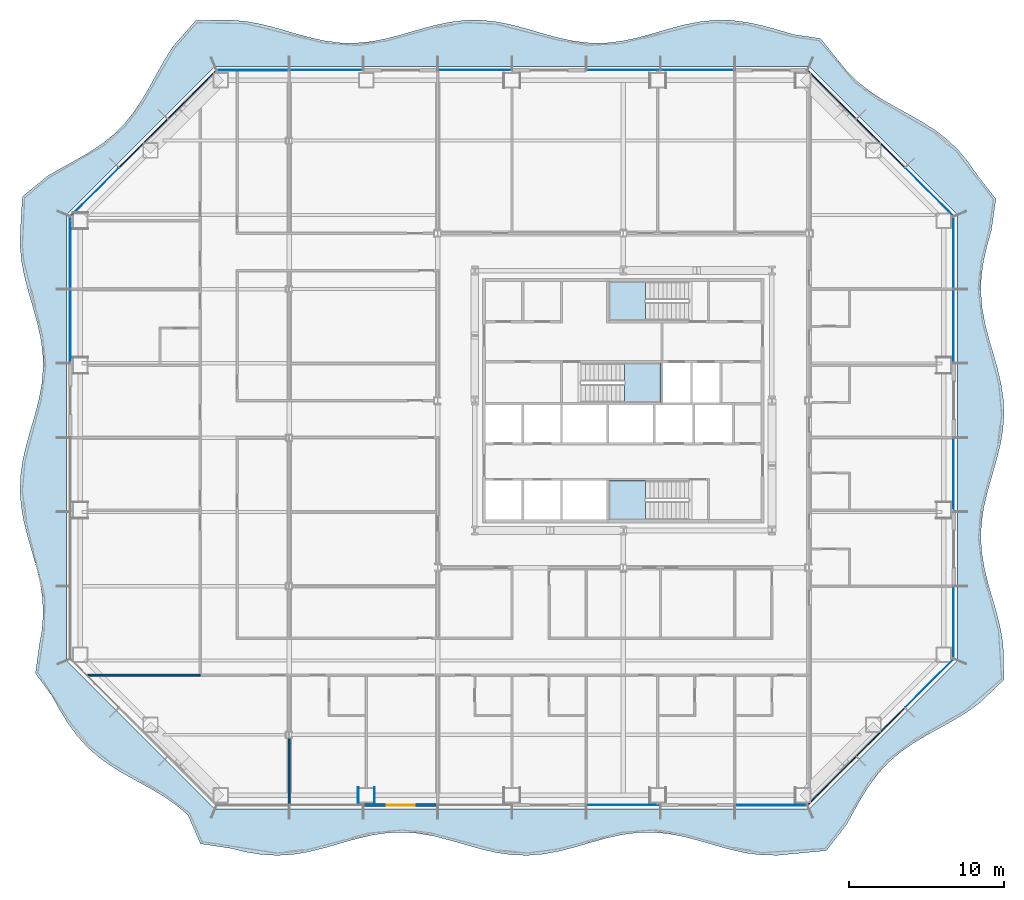
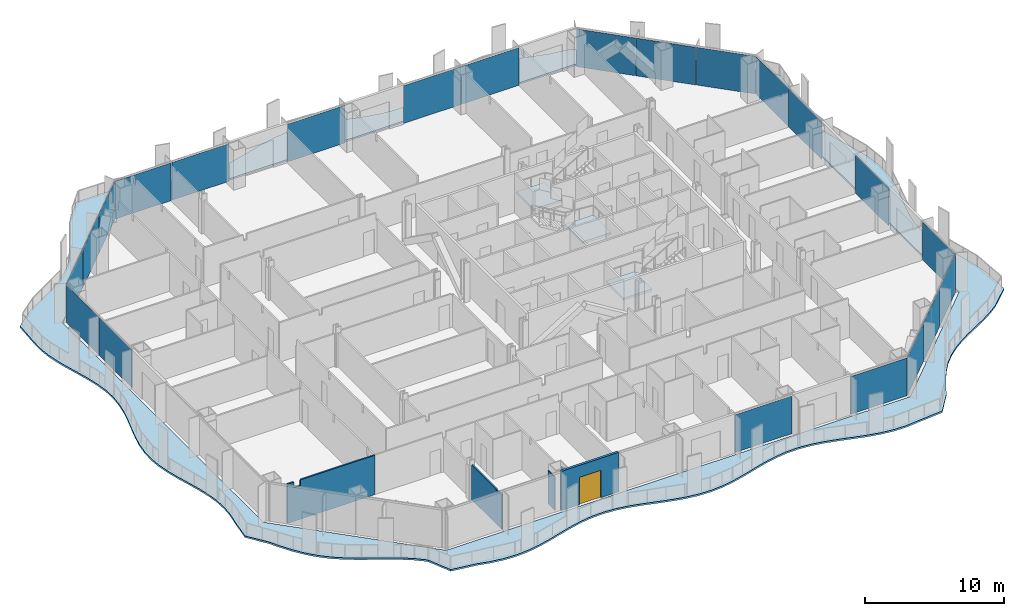
# One storey, part 5 of 21: 22 plates, 5 walls, 4 slabs, 1 door, 1 opening, 10 elements without a shape of their own.
"""IFC4 building model written with IfcOpenShell, lengths in metres."""

import ifcopenshell
import ifcopenshell.guid

model = None  # the IFC model being written
_history = None  # IfcOwnerHistory: only IFC2X3 demands one
_inside = {}  # id of a spatial element -> (the spatial element, [elements in it])
_under = {}  # id of a project, library or spatial element -> (it, [spatial elements below it])
_declared = {}  # id of a project -> (the project, [libraries it declares])
_typed = {}  # id of a type object -> (the type object, [elements of that type])
_made_of = {}  # id of a material, layer set ... -> (it, [elements and type objects made of it])


def new_model(schema):
    """Start an empty IFC model of exactly this schema.

    Asked for "IFC4X3", IfcOpenShell would pick the latest addendum, in which some entities
    have other attributes; the version numbers below select the first issue.
    IFC2X3 requires an IfcOwnerHistory on every rooted entity: one is made here for all.
    """
    global model, _history
    if schema == "IFC4X3":
        model = ifcopenshell.file(schema_version=(4, 3, 0, 0))
    else:
        model = ifcopenshell.file(schema=schema)
    _inside.clear()
    _under.clear()
    _declared.clear()
    _typed.clear()
    _made_of.clear()
    _history = None
    if model.schema == "IFC2X3":
        org = make("IfcOrganization", Name="unknown")
        user = make(
            "IfcPersonAndOrganization",
            ThePerson=make("IfcPerson", FamilyName="unknown"),
            TheOrganization=org,
        )
        app = make(
            "IfcApplication",
            ApplicationDeveloper=org,
            Version="unknown",
            ApplicationFullName="unknown",
            ApplicationIdentifier="unknown",
        )
        _history = make(
            "IfcOwnerHistory",
            OwningUser=user,
            OwningApplication=app,
            ChangeAction="ADDED",
            CreationDate=0,
        )
    return model


def make(cls, **values):
    """One entity of the class cls with the attributes given. An attribute that is None is left unset."""
    return model.create_entity(
        cls, **{name: value for name, value in values.items() if value is not None}
    )


def rooted(cls, **values):
    """An entity with a GlobalId (a new one), such as an element, a storey or a relation."""
    return make(cls, GlobalId=ifcopenshell.guid.new(), OwnerHistory=_history, **values)


def si_unit(unit_type, name, prefix=None):
    """IfcSIUnit, for example si_unit("LENGTHUNIT", "METRE", prefix="MILLI")."""
    return make("IfcSIUnit", UnitType=unit_type, Prefix=prefix, Name=name)


def assignment(units):
    """IfcUnitAssignment: the units of a project."""
    return None if units is None else make("IfcUnitAssignment", Units=units)


def point(xyz):
    """IfcCartesianPoint."""
    return None if xyz is None else make("IfcCartesianPoint", Coordinates=xyz)


def direction(xyz):
    """IfcDirection."""
    return None if xyz is None else make("IfcDirection", DirectionRatios=xyz)


def frame(location, z_axis=None, x_axis=None):
    """IfcAxis2Placement3D, a coordinate frame: its origin and axes. An axis left out is left unset."""
    return make(
        "IfcAxis2Placement3D",
        Location=point(location),
        Axis=direction(z_axis),
        RefDirection=direction(x_axis),
    )


def frame_2d(location, x_axis=None):
    """IfcAxis2Placement2D, a coordinate frame in the plane: its origin and x axis."""
    return make(
        "IfcAxis2Placement2D", Location=point(location), RefDirection=direction(x_axis)
    )


def origin():
    """The frame at (0, 0, 0) with its axes left unset."""
    return frame((0.0, 0.0, 0.0))


def origin_2d():
    """The frame at (0, 0) in the plane with its x axis left unset."""
    return frame_2d((0.0, 0.0))


def place(relative_to, where):
    """IfcLocalPlacement: puts the frame where relative to a parent placement (None: the world)."""
    return make(
        "IfcLocalPlacement", PlacementRelTo=relative_to, RelativePlacement=where
    )


def context(
    kind, dimensions, precision=None, world=None, true_north=None, identifier=None
):
    """IfcGeometricRepresentationContext, for example the 3D "Model" context."""
    return make(
        "IfcGeometricRepresentationContext",
        ContextIdentifier=identifier,
        ContextType=kind,
        CoordinateSpaceDimension=dimensions,
        Precision=precision,
        WorldCoordinateSystem=world,
        TrueNorth=true_north,
    )


def subcontext(parent, identifier, kind, view, scale=None):
    """IfcGeometricRepresentationSubContext, for example "Body" below "Model"."""
    return make(
        "IfcGeometricRepresentationSubContext",
        ContextIdentifier=identifier,
        ContextType=kind,
        ParentContext=parent,
        TargetScale=scale,
        TargetView=view,
    )


def project(units=None, contexts=None):
    """IfcProject with its units and contexts."""
    return rooted(
        "IfcProject",
        Name="project",
        RepresentationContexts=contexts,
        UnitsInContext=assignment(units),
    )


def spatial(cls, under=None, at=None, **own):
    """A site, building, storey or space (cls), placed at a placement, below another one or the project."""
    s = rooted(cls, ObjectPlacement=at, **own)
    if under is not None:
        _under.setdefault(under.id(), (under, []))[1].append(s)
    return s


def polyline(points):
    """IfcPolyline through the points."""
    return make("IfcPolyline", Points=[point(p) for p in points])


def profile(cls, at=None, kind="AREA", **sizes):
    """A parametric profile (cls). Its sizes go by their IFC names, for example OverallWidth=200.0."""
    return make(cls, ProfileType=kind, Position=at, **sizes)


def rectangle(**sizes):
    """IfcRectangleProfileDef."""
    return profile("IfcRectangleProfileDef", **sizes)


def outline(outer, holes=None, kind="AREA"):
    """IfcArbitraryClosedProfileDef: a profile drawn as a closed curve; with holes, ...WithVoids."""
    if holes is None:
        return make("IfcArbitraryClosedProfileDef", ProfileType=kind, OuterCurve=outer)
    return make(
        "IfcArbitraryProfileDefWithVoids",
        ProfileType=kind,
        OuterCurve=outer,
        InnerCurves=holes,
    )


def extrude(swept, where, along, depth):
    """IfcExtrudedAreaSolid: the profile swept, set in the frame where, extruded along a direction by depth."""
    return make(
        "IfcExtrudedAreaSolid",
        SweptArea=swept,
        Position=where,
        ExtrudedDirection=direction(along),
        Depth=depth,
    )


def shape(context_of_items, identifier, shape_type, items):
    """IfcShapeRepresentation: the items that make up one representation, for example the "Body"."""
    return make(
        "IfcShapeRepresentation",
        ContextOfItems=context_of_items,
        RepresentationIdentifier=identifier,
        RepresentationType=shape_type,
        Items=items,
    )


def material(Name=None, Category=None):
    """IfcMaterial."""
    return make("IfcMaterial", Name=Name, Category=Category)


def layer(
    of_material, thickness, ventilated=None, Name=None, Category=None, Priority=None
):
    """IfcMaterialLayer: one layer of a wall or slab, of a material (None: an air gap)."""
    return make(
        "IfcMaterialLayer",
        Material=of_material,
        LayerThickness=thickness,
        IsVentilated=ventilated,
        Name=Name,
        Category=Category,
        Priority=Priority,
    )


def layer_set(layers, Name=None):
    """IfcMaterialLayerSet."""
    return make("IfcMaterialLayerSet", MaterialLayers=layers, LayerSetName=Name)


def made_of(thing, what):
    """Note that an element or type object is made of a material, layer set ...; save() writes the relation."""
    if what is not None:
        _made_of.setdefault(what.id(), (what, []))[1].append(thing)
    return thing


def type_object(cls, material=None, **own):
    """A type object (cls), such as IfcWallType, which elements share."""
    return made_of(rooted(cls, **own), material)


def element(
    cls,
    number,
    at=None,
    inside=None,
    cuts=None,
    type_object=None,
    material=None,
    context=None,
    identifier="Body",
    shape_type=None,
    held_by="IfcProductDefinitionShape",
    body=None,
    shapes=None,
    **own,
):
    """One element of the class cls, such as IfcWall. Its Tag is "e" and its number.

    at: its placement. inside: the storey or other place that contains it. cuts: it is an
    opening in that element (IfcRelVoidsElement). A single representation is given by context,
    identifier, shape_type and body (its items); several are given by shapes. held_by: the class
    of the entity that holds the representations. save() writes the other relations.
    """
    e = rooted(cls, Tag="e%d" % number, ObjectPlacement=at, **own)
    if body is not None:
        shapes = [shape(context, identifier, shape_type, body)]
    if shapes is not None:
        e.Representation = make(held_by, Representations=shapes)
    if inside is not None:
        _inside.setdefault(inside.id(), (inside, []))[1].append(e)
    if cuts is not None:
        rooted(
            "IfcRelVoidsElement", RelatingBuildingElement=cuts, RelatedOpeningElement=e
        )
    if type_object is not None:
        _typed.setdefault(type_object.id(), (type_object, []))[1].append(e)
    return made_of(e, material)


def fill(opening, filler):
    """IfcRelFillsElement: the door or window that sits in an opening."""
    return rooted(
        "IfcRelFillsElement",
        RelatingOpeningElement=opening,
        RelatedBuildingElement=filler,
    )


def aggregate(whole, parts):
    """IfcRelAggregates: a whole, such as a stair, and the parts it consists of."""
    return rooted("IfcRelAggregates", RelatingObject=whole, RelatedObjects=parts)


def save(model, path):
    """Write the relations noted so far, then the file.

    IfcRelAggregates (storeys below a building ...), IfcRelContainedInSpatialStructure (elements
    in a storey), IfcRelDefinesByType, IfcRelAssociatesMaterial and IfcRelDeclares: one each for
    every whole, place, type object, material and project.
    """
    for whole, parts in _under.values():
        aggregate(whole, parts)
    for where, things in _inside.values():
        rooted(
            "IfcRelContainedInSpatialStructure",
            RelatedElements=things,
            RelatingStructure=where,
        )
    for kind, things in _typed.values():
        rooted("IfcRelDefinesByType", RelatedObjects=things, RelatingType=kind)
    for what, things in _made_of.values():
        rooted("IfcRelAssociatesMaterial", RelatedObjects=things, RelatingMaterial=what)
    for by, libraries in _declared.values():
        rooted("IfcRelDeclares", RelatingContext=by, RelatedDefinitions=libraries)
    model.write(path)


model = new_model("IFC4")

# Units and contexts
model_context = context("Model", 3, precision=1e-05, world=origin(), true_north=direction((0.0, 1.0)))
body_context = subcontext(model_context, "Body", "Model", "MODEL_VIEW")
ifc_project = project(units=[si_unit("LENGTHUNIT", "METRE"), si_unit("AREAUNIT", "SQUARE_METRE"), si_unit("VOLUMEUNIT", "CUBIC_METRE"), si_unit("PLANEANGLEUNIT", "RADIAN"), si_unit("MASSUNIT", "GRAM", prefix="KILO")], contexts=[model_context])

# Site, building, storey
site_placement = place(None, origin())
site = spatial("IfcSite", under=ifc_project, at=site_placement, CompositionType="ELEMENT")
building_placement = place(site_placement, origin())
building = spatial("IfcBuilding", under=site, at=building_placement, Name="Cairn Pilgrim Tower", CompositionType="ELEMENT")
storey_placement = place(building_placement, frame((0.0, 0.0, 43.800048828125)))
storey = spatial("IfcBuildingStorey", under=building, at=storey_placement, Name="L08", CompositionType="ELEMENT", Elevation=43.800048828125)

# Slab
ifc_material_1 = material(Name="Concrete C35/45", Category="concrete")
ifc_layer_1 = layer(ifc_material_1, 0.14990234375)
ifc_layer_set_1 = layer_set([ifc_layer_1], Name="BALCONY SLAB 150 CONCRETE C35/45")
slab_type_1 = type_object("IfcSlabType", Name="BALCONY SLAB 150 CONCRETE C35/45", PredefinedType="FLOOR", material=ifc_layer_set_1)
slab_1_placement = place(storey_placement, frame((0.0, 0.0, -0.150146484375)))
element("IfcSlab", 1, at=slab_1_placement, inside=storey, type_object=slab_type_1, Name="Balcony slab BS-1", PredefinedType="FLOOR", context=body_context, shape_type="SweptSolid", body=[
    extrude(outline(polyline([(-20.94921875, -24.377685546875), (-20.132080078125, -26.25), (-18.189453125, -26.539794921875), (-17.178955078125, -26.78466796875), (-16.16845703125, -26.946533203125), (-15.157958984375, -27.0), (-14.1474609375, -26.936767578125), (-13.136962890625, -26.76708984375), (-12.126220703125, -26.516845703125), (-11.11572265625, -26.22509765625), (-10.105224609375, -25.9375), (-9.0947265625, -25.6982421875), (-8.084228515625, -25.544677734375), (-7.07373046875, -25.5009765625), (-6.063232421875, -25.573486328125), (-5.052734375, -25.751220703125), (-4.0419921875, -26.006591796875), (-3.031494140625, -26.299560546875), (-2.02099609375, -26.5849609375), (-1.010498046875, -26.818359375), (0.0, -26.96337890625), (1.010498046875, -26.99755859375), (2.02099609375, -26.91552734375), (3.031494140625, -26.72998046875), (4.0419921875, -26.469970703125), (5.052734375, -26.17578125), (6.063232421875, -25.89306640625), (7.07373046875, -25.665771484375), (8.084228515625, -25.529541015625), (9.0947265625, -25.505126953125), (10.105224609375, -25.596435546875), (11.11572265625, -25.789306640625), (12.126220703125, -26.053955078125), (13.136962890625, -26.348876953125), (14.1474609375, -26.628662109375), (15.157958984375, -26.849365234375), (16.16845703125, -26.97705078125), (17.178955078125, -26.99169921875), (18.189453125, -26.89111328125), (20.314697265625, -26.69091796875), (21.606689453125, -25.03515625), (22.092041015625, -24.149169921875), (22.58740234375, -23.27294921875), (23.1201171875, -22.434326171875), (23.712158203125, -21.655029296875), (24.376953125, -20.9482421875), (25.117431640625, -20.3173828125), (25.92578125, -19.754150390625), (26.7841796875, -19.241455078125), (27.66845703125, -18.754150390625), (28.549560546875, -18.263916015625), (29.39990234375, -17.742919921875), (30.19580078125, -17.167236328125), (31.800048828125, -15.642578125), (31.746337890625, -13.406982421875), (31.588134765625, -12.413818359375), (31.34912109375, -11.420654296875), (31.06494140625, -10.427490234375), (30.77880859375, -9.4345703125), (30.533447265625, -8.44140625), (30.365478515625, -7.4482421875), (30.30029296875, -6.455078125), (30.347900390625, -5.462158203125), (30.500732421875, -4.468994140625), (30.736083984375, -3.475830078125), (31.018798828125, -2.482666015625), (31.305908203125, -1.48974609375), (31.5546875, -0.49658203125), (31.727783203125, 0.49658203125), (31.799072265625, 1.48974609375), (31.7578125, 2.482666015625), (31.610107421875, 3.475830078125), (31.37841796875, 4.468994140625), (31.097412109375, 5.462158203125), (30.809326171875, 6.455078125), (30.557373046875, 7.4482421875), (30.37939453125, 8.44140625), (30.302001953125, 9.4345703125), (30.337158203125, 10.427490234375), (30.479248046875, 11.420654296875), (30.70703125, 12.413818359375), (30.986328125, 13.406982421875), (31.275146484375, 15.42529296875), (30.041015625, 17.012451171875), (29.48388671875, 17.82666015625), (28.860107421875, 18.574462890625), (28.160888671875, 19.246826171875), (27.388427734375, 19.845458984375), (26.5546875, 20.38330078125), (25.68115234375, 20.881103515625), (24.794677734375, 21.3662109375), (23.92431640625, 21.866943359375), (23.095947265625, 22.41015625), (22.330322265625, 23.01611328125), (21.63916015625, 23.6962890625), (21.022705078125, 24.451171875), (19.94482421875, 25.798095703125), (18.189453125, 26.064453125), (17.178955078125, 26.35986328125), (16.16845703125, 26.637939453125), (15.157958984375, 26.85595703125), (14.1474609375, 26.979736328125), (13.136962890625, 26.989990234375), (12.126220703125, 26.88525390625), (11.11572265625, 26.681884765625), (10.105224609375, 26.411376953125), (9.0947265625, 26.11572265625), (8.084228515625, 25.841064453125), (7.07373046875, 25.6298828125), (6.063232421875, 25.514892578125), (5.052734375, 25.514404296875), (4.0419921875, 25.628173828125), (3.031494140625, 25.838623046875), (2.02099609375, 26.11279296875), (1.010498046875, 26.408447265625), (0.0, 26.679443359375), (-1.010498046875, 26.8837890625), (-2.02099609375, 26.989501953125), (-3.031494140625, 26.980224609375), (-4.0419921875, 26.857666015625), (-5.052734375, 26.640380859375), (-6.063232421875, 26.362548828125), (-7.07373046875, 26.0673828125), (-8.084228515625, 25.80029296875), (-9.0947265625, 25.603271484375), (-10.105224609375, 25.5068359375), (-11.11572265625, 25.525634765625), (-12.126220703125, 25.6572265625), (-13.136962890625, 25.880859375), (-14.1474609375, 26.161865234375), (-15.157958984375, 26.45654296875), (-16.16845703125, 26.71923828125), (-17.178955078125, 26.908935546875), (-18.189453125, 26.99609375), (-20.42919921875, 26.967529296875), (-21.89013671875, 25.31884765625), (-22.4228515625, 24.47998046875), (-22.918212890625, 23.60400390625), (-23.403564453125, 22.7177734375), (-23.907470703125, 21.850341796875), (-24.456298828125, 21.027587890625), (-25.0693359375, 20.269287109375), (-25.757080078125, 19.585693359375), (-26.519287109375, 18.976318359375), (-27.344970703125, 18.4306640625), (-28.214111328125, 17.928466796875), (-29.100341796875, 17.443359375), (-29.97509765625, 16.946533203125), (-31.644287109375, 15.578125), (-31.773681640625, 13.406982421875), (-31.794189453125, 12.413818359375), (-31.703125, 11.420654296875), (-31.513916015625, 10.427490234375), (-31.255126953125, 9.4345703125), (-30.96533203125, 8.44140625), (-30.6884765625, 7.4482421875), (-30.4658203125, 6.455078125), (-30.330810546875, 5.462158203125), (-30.303955078125, 4.468994140625), (-30.38916015625, 3.475830078125), (-30.573486328125, 2.482666015625), (-30.829345703125, 1.48974609375), (-31.118408203125, 0.49658203125), (-31.397216796875, -0.49658203125), (-31.6240234375, -1.48974609375), (-31.764404296875, -2.482666015625), (-31.797607421875, -3.475830078125), (-31.718505859375, -4.468994140625), (-31.5390625, -5.462158203125), (-31.2861328125, -6.455078125), (-30.997802734375, -7.4482421875), (-30.71728515625, -8.44140625), (-30.486572265625, -9.4345703125), (-30.3408203125, -10.427490234375), (-30.30126953125, -11.420654296875), (-30.374267578125, -12.413818359375), (-30.548828125, -13.406982421875), (-30.798583984375, -15.227783203125), (-29.725830078125, -16.697265625), (-29.235595703125, -17.57861328125), (-28.714599609375, -18.4287109375), (-28.138671875, -19.224365234375), (-27.49267578125, -19.949951171875), (-26.770751953125, -20.599365234375), (-25.97802734375, -21.177978515625), (-25.129638671875, -21.701171875), (-24.249267578125, -22.192138671875), (-23.36474609375, -22.678955078125), (-22.504150390625, -23.18994140625), (-21.693115234375, -23.750244140625), (-20.94921875, -24.377685546875)]), holes=[polyline([(19.199951171875, -24.0), (-19.199951171875, -24.0), (-28.800048828125, -14.39990234375), (-28.800048828125, 14.39990234375), (-19.199951171875, 24.0), (19.199951171875, 24.0), (28.800048828125, 14.39990234375), (28.800048828125, -14.39990234375), (19.199951171875, -24.0)])]), origin(), (0.0, 0.0, 1.0), 0.150146484375),
])

# Curtain wall, plate
ifc_material_2 = material(Name="Aluminium alloy 6063-T6 bronze anodised with Bronze tinted laminated low-E glass 8+16+8.8", Category="aluminium")
curtain_wall_type_1 = type_object("IfcCurtainWallType", Name="CHAMFER CORNER CURTAIN WALL", PredefinedType="NOTDEFINED", material=ifc_material_2)
curtain_wall_1_placement = place(storey_placement, origin())
curtain_wall_1 = element("IfcCurtainWall", 2, at=curtain_wall_1_placement, inside=storey, type_object=curtain_wall_type_1, Name="Chamfer Corner Curtain Wall SE", PredefinedType="NOTDEFINED")
ifc_material_3 = material(Name="Bronze anodised aluminium spandrel panel with mineral wool insulation", Category="aluminium")
ifc_layer_2 = layer(ifc_material_3, 0.06005859375)
ifc_layer_set_2 = layer_set([ifc_layer_2], Name="SPANDREL PANEL 4386x3300")
plate_type_1 = type_object("IfcPlateType", Name="SPANDREL PANEL 4386x3300", PredefinedType="CURTAIN_PANEL", material=ifc_layer_set_2)
plate_1_placement = place(storey_placement, frame((20.675537109375, -22.1708984375, 0.0), z_axis=(0.0, 0.0, 1.0), x_axis=(0.707106781187, 0.707106781187, 0.0)))
plate_1 = element("IfcPlate", 3, at=plate_1_placement, type_object=plate_type_1, Name="Spandrel Panel SE1-1", PredefinedType="CURTAIN_PANEL", context=body_context, shape_type="SweptSolid", body=[
    extrude(rectangle(XDim=4.386474609375, YDim=0.06005859375, at=origin_2d()), origin(), (0.0, 0.0, 1.0), 3.300048828125),
])

curtain_wall_2_placement = place(storey_placement, origin())
curtain_wall_2 = element("IfcCurtainWall", 4, at=curtain_wall_2_placement, inside=storey, type_object=curtain_wall_type_1, Name="Chamfer Corner Curtain Wall NE", PredefinedType="NOTDEFINED")
plate_2_placement = place(storey_placement, frame((20.675537109375, 22.1708984375, 0.0), z_axis=(0.0, 0.0, 1.0), x_axis=(-0.707106781187, 0.707106781187, 0.0)))
plate_2 = element("IfcPlate", 5, at=plate_2_placement, type_object=plate_type_1, Name="Spandrel Panel NE3-1", PredefinedType="CURTAIN_PANEL", context=body_context, shape_type="SweptSolid", body=[
    extrude(rectangle(XDim=4.386474609375, YDim=0.06005859375, at=origin_2d()), origin(), (0.0, 0.0, 1.0), 3.300048828125),
])

curtain_wall_3_placement = place(storey_placement, origin())
curtain_wall_3 = element("IfcCurtainWall", 6, at=curtain_wall_3_placement, inside=storey, type_object=curtain_wall_type_1, Name="Chamfer Corner Curtain Wall NW", PredefinedType="NOTDEFINED")
plate_3_placement = place(storey_placement, frame((-20.675537109375, 22.1708984375, 0.0), z_axis=(0.0, 0.0, 1.0), x_axis=(-0.707106781187, -0.707106781187, 0.0)))
plate_3 = element("IfcPlate", 7, at=plate_3_placement, type_object=plate_type_1, Name="Spandrel Panel NW1-1", PredefinedType="CURTAIN_PANEL", context=body_context, shape_type="SweptSolid", body=[
    extrude(rectangle(XDim=4.386474609375, YDim=0.06005859375, at=origin_2d()), origin(), (0.0, 0.0, 1.0), 3.300048828125),
])

# Plate
ifc_layer_3 = layer(ifc_material_3, 0.06005859375)
ifc_layer_set_3 = layer_set([ifc_layer_3], Name="SPANDREL PANEL 4396x3300")
plate_type_2 = type_object("IfcPlateType", Name="SPANDREL PANEL 4396x3300", PredefinedType="CURTAIN_PANEL", material=ifc_layer_set_3)
plate_4_placement = place(storey_placement, frame((23.8232421875, -19.023193359375, 0.0), z_axis=(0.0, 0.0, 1.0), x_axis=(0.707106781187, 0.707106781187, 0.0)))
plate_4 = element("IfcPlate", 8, at=plate_4_placement, type_object=plate_type_2, Name="Spandrel Panel SE2-1", PredefinedType="CURTAIN_PANEL", context=body_context, shape_type="SweptSolid", body=[
    extrude(rectangle(XDim=4.396484375, YDim=0.06005859375, at=origin_2d()), origin(), (0.0, 0.0, 1.0), 3.300048828125),
])

plate_5_placement = place(storey_placement, frame((23.8232421875, 19.023193359375, 0.0), z_axis=(0.0, 0.0, 1.0), x_axis=(-0.707106781187, 0.707106781187, 0.0)))
plate_5 = element("IfcPlate", 9, at=plate_5_placement, type_object=plate_type_2, Name="Spandrel Panel NE2-1", PredefinedType="CURTAIN_PANEL", context=body_context, shape_type="SweptSolid", body=[
    extrude(rectangle(XDim=4.396484375, YDim=0.06005859375, at=origin_2d()), origin(), (0.0, 0.0, 1.0), 3.300048828125),
])

plate_6_placement = place(storey_placement, frame((-23.8232421875, 19.023193359375, 0.0), z_axis=(0.0, 0.0, 1.0), x_axis=(-0.707106781187, -0.707106781187, 0.0)))
plate_6 = element("IfcPlate", 10, at=plate_6_placement, type_object=plate_type_2, Name="Spandrel Panel NW2-1", PredefinedType="CURTAIN_PANEL", context=body_context, shape_type="SweptSolid", body=[
    extrude(rectangle(XDim=4.396484375, YDim=0.06005859375, at=origin_2d()), origin(), (0.0, 0.0, 1.0), 3.300048828125),
])

# Curtain wall, plate
curtain_wall_type_2 = type_object("IfcCurtainWallType", Name="TOWER STICK CURTAIN WALL NS", PredefinedType="NOTDEFINED", material=ifc_material_2)
curtain_wall_4_placement = place(storey_placement, origin())
curtain_wall_4 = element("IfcCurtainWall", 11, at=curtain_wall_4_placement, inside=storey, type_object=curtain_wall_type_2, Name="Tower Stick Curtain Wall Ns S", PredefinedType="NOTDEFINED")
ifc_layer_4 = layer(ifc_material_3, 0.06005859375)
ifc_layer_set_4 = layer_set([ifc_layer_4], Name="SPANDREL PANEL 4626x3300")
plate_type_3 = type_object("IfcPlateType", Name="SPANDREL PANEL 4626x3300", PredefinedType="CURTAIN_PANEL", material=ifc_layer_set_4)
plate_7_placement = place(storey_placement, frame((16.7431640625, -23.75, 0.0), z_axis=(0.0, 0.0, 1.0), x_axis=(1.0, 0.0, 0.0)))
plate_7 = element("IfcPlate", 12, at=plate_7_placement, type_object=plate_type_3, Name="Spandrel Panel S8-1", PredefinedType="CURTAIN_PANEL", context=body_context, shape_type="SweptSolid", body=[
    extrude(rectangle(XDim=4.62646484375, YDim=0.06005859375, at=origin_2d()), origin(), (0.0, 0.0, 1.0), 3.300048828125),
])

curtain_wall_5_placement = place(storey_placement, origin())
curtain_wall_5 = element("IfcCurtainWall", 13, at=curtain_wall_5_placement, inside=storey, type_object=curtain_wall_type_2, Name="Tower Stick Curtain Wall Ns N", PredefinedType="NOTDEFINED")
plate_8_placement = place(storey_placement, frame((-16.7431640625, 23.75, 0.0), z_axis=(0.0, 0.0, 1.0), x_axis=(-1.0, 0.0, 0.0)))
plate_8 = element("IfcPlate", 14, at=plate_8_placement, type_object=plate_type_3, Name="Spandrel Panel N8-1", PredefinedType="CURTAIN_PANEL", context=body_context, shape_type="SweptSolid", body=[
    extrude(rectangle(XDim=4.62646484375, YDim=0.06005859375, at=origin_2d()), origin(), (0.0, 0.0, 1.0), 3.300048828125),
])

# Stair, slab
ifc_material_4 = material(Name="Concrete C32/40", Category="concrete")
stair_type = type_object("IfcStairType", Name="EXIT STAIR 1200", PredefinedType="HALF_TURN_STAIR", material=ifc_material_4)
stair_1_placement = place(storey_placement, origin())
stair_1 = element("IfcStair", 15, at=stair_1_placement, inside=storey, type_object=stair_type, Name="L08 Exit Stair A", PredefinedType="HALF_TURN_STAIR")
ifc_layer_5 = layer(ifc_material_4, 0.199951171875)
ifc_layer_set_5 = layer_set([ifc_layer_5], Name="STAIR LANDING 200")
slab_type_2 = type_object("IfcSlabType", Name="STAIR LANDING 200", PredefinedType="LANDING", material=ifc_layer_set_5)
slab_2_placement = place(storey_placement, frame((0.0, 0.0, 1.599853515625)))
slab_2 = element("IfcSlab", 16, at=slab_2_placement, type_object=slab_type_2, Name="ST-A landing 1", PredefinedType="LANDING", context=body_context, shape_type="SweptSolid", body=[
    extrude(outline(polyline([(8.625, -2.77490234375), (6.27490234375, -2.77490234375), (6.27490234375, -5.300048828125), (8.625, -5.300048828125), (8.625, -2.77490234375)])), origin(), (0.0, 0.0, 1.0), 0.2001953125),
])
aggregate(stair_1, [slab_2])

stair_2_placement = place(storey_placement, origin())
stair_2 = element("IfcStair", 17, at=stair_2_placement, inside=storey, type_object=stair_type, Name="L08 Exit Stair B", PredefinedType="HALF_TURN_STAIR")
slab_3_placement = place(storey_placement, frame((0.0, 0.0, 1.599853515625)))
slab_3 = element("IfcSlab", 18, at=slab_3_placement, type_object=slab_type_2, Name="ST-B landing 1", PredefinedType="LANDING", context=body_context, shape_type="SweptSolid", body=[
    extrude(outline(polyline([(7.27490234375, 2.27490234375), (9.625, 2.27490234375), (9.625, 4.824951171875), (7.27490234375, 4.824951171875), (7.27490234375, 2.27490234375)])), origin(), (0.0, 0.0, 1.0), 0.2001953125),
])
aggregate(stair_2, [slab_3])

stair_3_placement = place(storey_placement, origin())
stair_3 = element("IfcStair", 19, at=stair_3_placement, inside=storey, type_object=stair_type, Name="L08 Exit Stair C", PredefinedType="HALF_TURN_STAIR")
slab_4_placement = place(storey_placement, frame((0.0, 0.0, 1.599853515625)))
slab_4 = element("IfcSlab", 20, at=slab_4_placement, type_object=slab_type_2, Name="ST-C landing 1", PredefinedType="LANDING", context=body_context, shape_type="SweptSolid", body=[
    extrude(outline(polyline([(8.625, 10.10009765625), (6.27490234375, 10.10009765625), (6.27490234375, 7.574951171875), (8.625, 7.574951171875), (8.625, 10.10009765625)])), origin(), (0.0, 0.0, 1.0), 0.2001953125),
])
aggregate(stair_3, [slab_4])

# Plate
ifc_material_5 = material(Name="Bronze tinted laminated low-E glass 8+16+8.8", Category="glass")
ifc_layer_6 = layer(ifc_material_5, 0.033935546875)
ifc_layer_set_6 = layer_set([ifc_layer_6], Name="VISION GLAZING 4386x3300")
plate_type_4 = type_object("IfcPlateType", Name="VISION GLAZING 4386x3300", PredefinedType="CURTAIN_PANEL", material=ifc_layer_set_6)
plate_9_placement = place(storey_placement, frame((26.970947265625, -15.87548828125, 0.0), z_axis=(0.0, 0.0, 1.0), x_axis=(0.707106781187, 0.707106781187, 0.0)))
plate_9 = element("IfcPlate", 21, at=plate_9_placement, type_object=plate_type_4, Name="Vision Glazing SE3-1", PredefinedType="CURTAIN_PANEL", context=body_context, shape_type="SweptSolid", body=[
    extrude(rectangle(XDim=4.386474609375, YDim=0.033935546875, at=origin_2d()), origin(), (0.0, 0.0, 1.0), 3.300048828125),
])

aggregate(curtain_wall_1, [plate_1, plate_4, plate_9])

plate_10_placement = place(storey_placement, frame((26.970947265625, 15.87548828125, 0.0), z_axis=(0.0, 0.0, 1.0), x_axis=(-0.707106781187, 0.707106781187, 0.0)))
plate_10 = element("IfcPlate", 22, at=plate_10_placement, type_object=plate_type_4, Name="Vision Glazing NE1-1", PredefinedType="CURTAIN_PANEL", context=body_context, shape_type="SweptSolid", body=[
    extrude(rectangle(XDim=4.386474609375, YDim=0.033935546875, at=origin_2d()), origin(), (0.0, 0.0, 1.0), 3.300048828125),
])

aggregate(curtain_wall_2, [plate_10, plate_5, plate_2])

plate_11_placement = place(storey_placement, frame((-26.970947265625, 15.87548828125, 0.0), z_axis=(0.0, 0.0, 1.0), x_axis=(-0.707106781187, -0.707106781187, 0.0)))
plate_11 = element("IfcPlate", 23, at=plate_11_placement, type_object=plate_type_4, Name="Vision Glazing NW3-1", PredefinedType="CURTAIN_PANEL", context=body_context, shape_type="SweptSolid", body=[
    extrude(rectangle(XDim=4.386474609375, YDim=0.033935546875, at=origin_2d()), origin(), (0.0, 0.0, 1.0), 3.300048828125),
])

aggregate(curtain_wall_3, [plate_3, plate_6, plate_11])

# Curtain wall, plates
curtain_wall_type_3 = type_object("IfcCurtainWallType", Name="TOWER STICK CURTAIN WALL EW", PredefinedType="NOTDEFINED", material=ifc_material_2)
curtain_wall_6_placement = place(storey_placement, origin())
curtain_wall_6 = element("IfcCurtainWall", 24, at=curtain_wall_6_placement, inside=storey, type_object=curtain_wall_type_3, Name="Tower Stick Curtain Wall Ew E", PredefinedType="NOTDEFINED")
ifc_layer_7 = layer(ifc_material_5, 0.033935546875)
ifc_layer_set_7 = layer_set([ifc_layer_7], Name="VISION GLAZING 4626x3300")
plate_type_5 = type_object("IfcPlateType", Name="VISION GLAZING 4626x3300", PredefinedType="CURTAIN_PANEL", material=ifc_layer_set_7)
plate_12_placement = place(storey_placement, frame((28.550048828125, -11.943115234375, 0.0), z_axis=(0.0, 0.0, 1.0), x_axis=(0.0, 1.0, 0.0)))
plate_12 = element("IfcPlate", 25, at=plate_12_placement, type_object=plate_type_5, Name="Vision Glazing E1-1", PredefinedType="CURTAIN_PANEL", context=body_context, shape_type="SweptSolid", body=[
    extrude(rectangle(XDim=4.62646484375, YDim=0.033935546875, at=origin_2d()), origin(), (0.0, 0.0, 1.0), 3.300048828125),
])
plate_13_placement = place(storey_placement, frame((28.550048828125, 11.943115234375, 0.0), z_axis=(0.0, 0.0, 1.0), x_axis=(0.0, 1.0, 0.0)))
plate_13 = element("IfcPlate", 26, at=plate_13_placement, type_object=plate_type_5, Name="Vision Glazing E6-1", PredefinedType="CURTAIN_PANEL", context=body_context, shape_type="SweptSolid", body=[
    extrude(rectangle(XDim=4.62646484375, YDim=0.033935546875, at=origin_2d()), origin(), (0.0, 0.0, 1.0), 3.300048828125),
])

# Curtain wall, plate
curtain_wall_7_placement = place(storey_placement, origin())
curtain_wall_7 = element("IfcCurtainWall", 27, at=curtain_wall_7_placement, inside=storey, type_object=curtain_wall_type_3, Name="Tower Stick Curtain Wall Ew W", PredefinedType="NOTDEFINED")
plate_14_placement = place(storey_placement, frame((-28.550048828125, 11.943115234375, 0.0), z_axis=(0.0, 0.0, 1.0), x_axis=(0.0, -1.0, 0.0)))
plate_14 = element("IfcPlate", 28, at=plate_14_placement, type_object=plate_type_5, Name="Vision Glazing W1-1", PredefinedType="CURTAIN_PANEL", context=body_context, shape_type="SweptSolid", body=[
    extrude(rectangle(XDim=4.62646484375, YDim=0.033935546875, at=origin_2d()), origin(), (0.0, 0.0, 1.0), 3.300048828125),
])

# Plate
ifc_layer_8 = layer(ifc_material_5, 0.033935546875)
ifc_layer_set_8 = layer_set([ifc_layer_8], Name="VISION GLAZING 4740x3300")
plate_type_6 = type_object("IfcPlateType", Name="VISION GLAZING 4740x3300", PredefinedType="CURTAIN_PANEL", material=ifc_layer_set_8)
plate_15_placement = place(storey_placement, frame((7.199951171875, -23.75, 0.0), z_axis=(0.0, 0.0, 1.0), x_axis=(1.0, 0.0, 0.0)))
plate_15 = element("IfcPlate", 29, at=plate_15_placement, type_object=plate_type_6, Name="Vision Glazing S6-1", PredefinedType="CURTAIN_PANEL", context=body_context, shape_type="SweptSolid", body=[
    extrude(rectangle(XDim=4.739990234375, YDim=0.033935546875, at=origin_2d()), origin(), (0.0, 0.0, 1.0), 3.300048828125),
])

aggregate(curtain_wall_4, [plate_15, plate_7])

plate_16_placement = place(storey_placement, frame((28.550048828125, -2.39990234375, 0.0), z_axis=(0.0, 0.0, 1.0), x_axis=(0.0, 1.0, 0.0)))
plate_16 = element("IfcPlate", 30, at=plate_16_placement, type_object=plate_type_6, Name="Vision Glazing E3-1", PredefinedType="CURTAIN_PANEL", context=body_context, shape_type="SweptSolid", body=[
    extrude(rectangle(XDim=4.739990234375, YDim=0.033935546875, at=origin_2d()), origin(), (0.0, 0.0, 1.0), 3.300048828125),
])

plate_17_placement = place(storey_placement, frame((28.550048828125, 7.199951171875, 0.0), z_axis=(0.0, 0.0, 1.0), x_axis=(0.0, 1.0, 0.0)))
plate_17 = element("IfcPlate", 31, at=plate_17_placement, type_object=plate_type_6, Name="Vision Glazing E5-1", PredefinedType="CURTAIN_PANEL", context=body_context, shape_type="SweptSolid", body=[
    extrude(rectangle(XDim=4.739990234375, YDim=0.033935546875, at=origin_2d()), origin(), (0.0, 0.0, 1.0), 3.300048828125),
])

aggregate(curtain_wall_6, [plate_12, plate_16, plate_17, plate_13])

plate_18_placement = place(storey_placement, frame((12.0, 23.75, 0.0), z_axis=(0.0, 0.0, 1.0), x_axis=(-1.0, 0.0, 0.0)))
plate_18 = element("IfcPlate", 32, at=plate_18_placement, type_object=plate_type_6, Name="Vision Glazing N2-1", PredefinedType="CURTAIN_PANEL", context=body_context, shape_type="SweptSolid", body=[
    extrude(rectangle(XDim=4.739990234375, YDim=0.033935546875, at=origin_2d()), origin(), (0.0, 0.0, 1.0), 3.300048828125),
])

plate_19_placement = place(storey_placement, frame((7.199951171875, 23.75, 0.0), z_axis=(0.0, 0.0, 1.0), x_axis=(-1.0, 0.0, 0.0)))
plate_19 = element("IfcPlate", 33, at=plate_19_placement, type_object=plate_type_6, Name="Vision Glazing N3-1", PredefinedType="CURTAIN_PANEL", context=body_context, shape_type="SweptSolid", body=[
    extrude(rectangle(XDim=4.739990234375, YDim=0.033935546875, at=origin_2d()), origin(), (0.0, 0.0, 1.0), 3.300048828125),
])

plate_20_placement = place(storey_placement, frame((-2.39990234375, 23.75, 0.0), z_axis=(0.0, 0.0, 1.0), x_axis=(-1.0, 0.0, 0.0)))
plate_20 = element("IfcPlate", 34, at=plate_20_placement, type_object=plate_type_6, Name="Vision Glazing N5-1", PredefinedType="CURTAIN_PANEL", context=body_context, shape_type="SweptSolid", body=[
    extrude(rectangle(XDim=4.739990234375, YDim=0.033935546875, at=origin_2d()), origin(), (0.0, 0.0, 1.0), 3.300048828125),
])

plate_21_placement = place(storey_placement, frame((-12.0, 23.75, 0.0), z_axis=(0.0, 0.0, 1.0), x_axis=(-1.0, 0.0, 0.0)))
plate_21 = element("IfcPlate", 35, at=plate_21_placement, type_object=plate_type_6, Name="Vision Glazing N7-1", PredefinedType="CURTAIN_PANEL", context=body_context, shape_type="SweptSolid", body=[
    extrude(rectangle(XDim=4.739990234375, YDim=0.033935546875, at=origin_2d()), origin(), (0.0, 0.0, 1.0), 3.300048828125),
])

aggregate(curtain_wall_5, [plate_18, plate_19, plate_20, plate_21, plate_8])

plate_22_placement = place(storey_placement, frame((-28.550048828125, 7.199951171875, 0.0), z_axis=(0.0, 0.0, 1.0), x_axis=(0.0, -1.0, 0.0)))
plate_22 = element("IfcPlate", 36, at=plate_22_placement, type_object=plate_type_6, Name="Vision Glazing W2-1", PredefinedType="CURTAIN_PANEL", context=body_context, shape_type="SweptSolid", body=[
    extrude(rectangle(XDim=4.739990234375, YDim=0.033935546875, at=origin_2d()), origin(), (0.0, 0.0, 1.0), 3.300048828125),
])

aggregate(curtain_wall_7, [plate_14, plate_22])

# Wall, opening, door
ifc_material_6 = material(Name="Bronze anodised aluminium insulated sandwich panel with mineral wool fill", Category="aluminium")
ifc_layer_9 = layer(ifc_material_6, 0.199951171875)
ifc_layer_set_9 = layer_set([ifc_layer_9], Name="BRONZE INFILL FRAME WALL 200")
wall_type_1 = type_object("IfcWallType", Name="BRONZE INFILL FRAME WALL 200", PredefinedType="NOTDEFINED", material=ifc_layer_set_9)
wall_1_placement = place(storey_placement, frame((-9.570068359375, -23.75, 0.0), z_axis=(0.0, 0.0, 1.0), x_axis=(1.0, 0.0, 0.0)))
wall_1 = element("IfcWall", 37, at=wall_1_placement, inside=storey, type_object=wall_type_1, Name="Bronze infill frame wall IW-S3", PredefinedType="NOTDEFINED", context=body_context, shape_type="SweptSolid", body=[
    extrude(rectangle(XDim=4.739990234375, YDim=0.199951171875, at=frame_2d((2.3701171875, 0.0))), origin(), (0.0, 0.0, 1.0), 3.449951171875),
])
opening_placement = place(wall_1_placement, frame((1.469970703125, 0.0, 0.0)))
opening = element("IfcOpeningElement", 38, at=opening_placement, cuts=wall_1, Name="Opening 0803B", PredefinedType="OPENING", context=body_context, shape_type="SweptSolid", body=[
    extrude(rectangle(XDim=1.800048828125, YDim=2.39990234375, at=frame_2d((0.89990234375, 1.199951171875))), frame((0.0, 0.10986328125, 0.0), z_axis=(0.0, -1.0, 0.0), x_axis=(1.0, 0.0, 0.0)), (0.0, 0.0, 1.0), 0.219970703125),
])
ifc_material_7 = material(Name="Bronze anodised aluminium frame with tinted low-E glass", Category="aluminium")
door_type = type_object("IfcDoorType", Name="BALCONY SLIDING DOOR 1800x2400", OperationType="DOUBLE_DOOR_SLIDING", PredefinedType="DOOR", material=ifc_material_7)
door_placement = place(opening_placement, origin())
door = element("IfcDoor", 39, at=door_placement, inside=storey, type_object=door_type, Name="Balcony sliding door 0803B", OperationType="SINGLE_SWING_LEFT", OverallHeight=2.39990234375, OverallWidth=1.800048828125, PredefinedType="DOOR", context=body_context, shape_type="SweptSolid", body=[
    extrude(rectangle(XDim=1.800048828125, YDim=2.39990234375, at=frame_2d((0.89990234375, 1.199951171875))), frame((0.0, 0.02490234375, 0.0), z_axis=(0.0, -1.0, 0.0), x_axis=(1.0, 0.0, 0.0)), (0.0, 0.0, 1.0), 0.050048828125),
])
fill(opening, door)

# Walls
ifc_material_8 = material(Name="Gypsum partition")
ifc_layer_10 = layer(ifc_material_8, 0.125)
ifc_layer_set_10 = layer_set([ifc_layer_10], Name="PARTITION 125 DRYWALL EI 60")
wall_type_2 = type_object("IfcWallType", Name="PARTITION 125 DRYWALL EI 60", PredefinedType="PARTITIONING", material=ifc_layer_set_10)
wall_2_placement = place(storey_placement, frame((-14.39990234375, -23.68994140625, 0.0), z_axis=(0.0, 0.0, 1.0), x_axis=(0.0, 1.0, 0.0)))
element("IfcWall", 40, at=wall_2_placement, inside=storey, type_object=wall_type_2, Name="PARTITION W001", PredefinedType="PARTITIONING", context=body_context, shape_type="SweptSolid", body=[
    extrude(outline(polyline([(0.0, 0.0), (4.27734375, 0.0), (4.277587890625, 3.030029296875), (0.739990234375, 3.030029296875), (0.738037109375, 2.929931640625), (0.43994140625, 2.929931640625), (0.43798828125, 3.030029296875), (0.0, 3.030029296875), (0.0, 0.0)])), frame((0.0, 0.0625, 0.0), z_axis=(0.0, -1.0, 0.0), x_axis=(1.0, 0.0, 0.0)), (0.0, 0.0, 1.0), 0.125),
])
wall_3_placement = place(storey_placement, frame((-27.406982421875, -15.35009765625, 0.0), z_axis=(0.0, 0.0, 1.0), x_axis=(1.0, 0.0, 0.0)))
element("IfcWall", 41, at=wall_3_placement, inside=storey, type_object=wall_type_2, Name="PARTITION W021", PredefinedType="PARTITIONING", context=body_context, shape_type="SweptSolid", body=[
    extrude(outline(polyline([(0.0, 0.0), (7.257080078125, 0.0), (7.257080078125, 3.449951171875), (1.1044921875, 3.449951171875), (1.102294921875, 2.929931640625), (0.55517578125, 2.929931640625), (0.552978515625, 3.449951171875), (0.0, 3.449951171875), (0.0, 0.0)])), frame((0.0, 0.0625, 0.0), z_axis=(0.0, -1.0, 0.0), x_axis=(1.0, 0.0, 0.0)), (0.0, 0.0, 1.0), 0.125),
])
ifc_layer_11 = layer(ifc_material_8, 0.050048828125)
ifc_layer_set_11 = layer_set([ifc_layer_11], Name="PARTITION 50 DRYWALL EI 60")
wall_type_3 = type_object("IfcWallType", Name="PARTITION 50 DRYWALL EI 60", PredefinedType="PARTITIONING", material=ifc_layer_set_11)
for number, where, z_axis, x_axis, name in (
    (42, (-9.938720703125, -23.60009765625, 0.0), (0.0, 0.0, 1.0), (0.0, 1.0, 0.0), "COLUMN CASING WC06"),
    (43, (-8.888671875, -23.60009765625, 0.0), (0.0, 0.0, 1.0), (0.0, 1.0, 0.0), "COLUMN CASING WC07"),
):
    element("IfcWall", number, at=place(storey_placement, frame(where, z_axis=z_axis, x_axis=x_axis)), inside=storey, type_object=wall_type_3, Name=name, PredefinedType="PARTITIONING", context=body_context, shape_type="SweptSolid", body=[
        extrude(rectangle(XDim=1.0, YDim=0.050048828125, at=frame_2d((0.5, 0.0))), origin(), (0.0, 0.0, 1.0), 2.929931640625),
    ])

save(model, "model.ifc")
